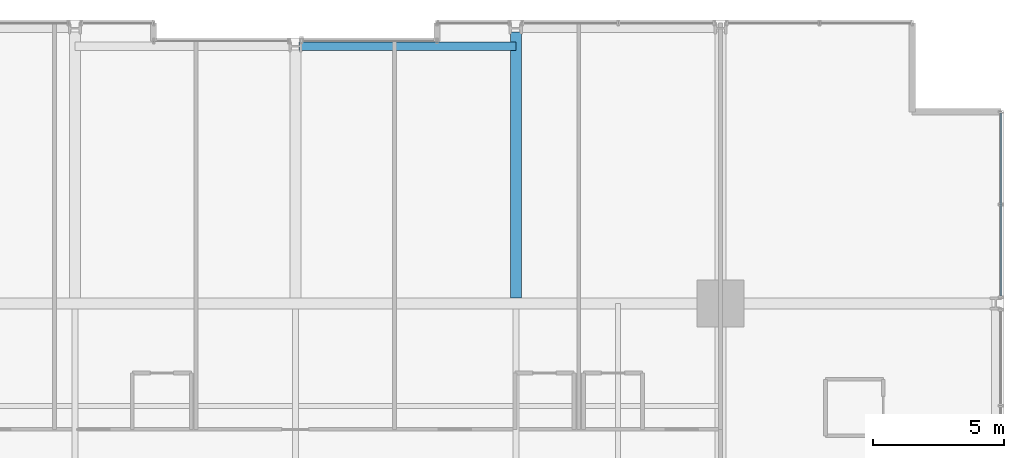
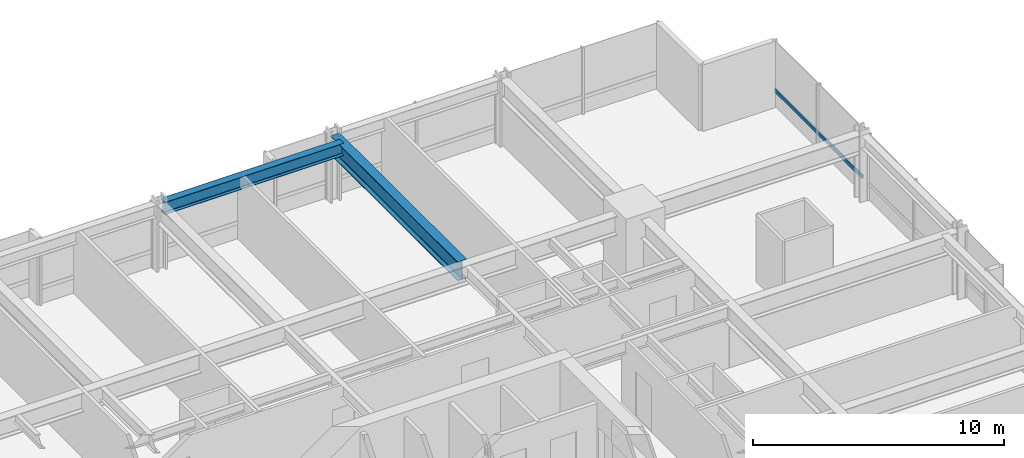
# One storey, part 26 of 38: 2 beams, 1 member, 1 element without a shape of its own.
"""IFC4 building model written with IfcOpenShell, lengths in metres."""

from ifc_helpers import new_model, si_unit, direction, frame, origin, origin_2d, place, context, subcontext, project, spatial, hollow_rectangle, i_section, extrude, material, layer, layer_set, material_profile, profile_set, type_object, element, aggregate, save


model = new_model("IFC4")

# Units and contexts
model_context = context("Model", 3, precision=1e-05, world=origin(), true_north=direction((0.0, 1.0)))
body_context = subcontext(model_context, "Body", "Model", "MODEL_VIEW")
ifc_project = project(units=[si_unit("LENGTHUNIT", "METRE"), si_unit("AREAUNIT", "SQUARE_METRE"), si_unit("VOLUMEUNIT", "CUBIC_METRE"), si_unit("PLANEANGLEUNIT", "RADIAN"), si_unit("MASSUNIT", "GRAM", prefix="KILO")], contexts=[model_context])

# Site, building, storey
site_placement = place(None, origin())
site = spatial("IfcSite", under=ifc_project, at=site_placement, CompositionType="ELEMENT")
building_placement = place(site_placement, origin())
building = spatial("IfcBuilding", under=site, at=building_placement, Name="Drelvath Grand Hotel", CompositionType="ELEMENT")
storey_placement = place(building_placement, frame((0.0, 0.0, 57.699951171875)))
storey = spatial("IfcBuildingStorey", under=building, at=storey_placement, Name="L13", CompositionType="ELEMENT", Elevation=57.699951171875)

# Curtain wall, member
ifc_material_1 = material(Name="Warm Bronze Anodised Aluminium Frame", Category="aluminium")
ifc_layer = layer(ifc_material_1, 0.199951171875)
ifc_layer_set = layer_set([ifc_layer], Name="Warm Bronze Anodised Aluminium Frame")
curtain_wall_type = type_object("IfcCurtainWallType", Name="Stick Curtain Wall CW-02 Warm Bronze Low-Rise", PredefinedType="NOTDEFINED", material=ifc_layer_set)
curtain_wall_placement = place(storey_placement, origin())
curtain_wall = element("IfcCurtainWall", 1, at=curtain_wall_placement, inside=storey, type_object=curtain_wall_type, Name="L13 CW-02 Curtain Wall CW02-L13-EN3", PredefinedType="NOTDEFINED")
ifc_material_profile_1 = material_profile(ifc_material_1, hollow_rectangle(XDim=0.074951171875, YDim=0.179931640625, WallThickness=0.0048828125, at=origin_2d()), Name="HSS180X75X5")
ifc_profile_set_1 = profile_set([ifc_material_profile_1], Name="Warm Bronze Anodised Aluminium Frame")
member_type = type_object("IfcMemberType", Name="Curtain Wall Horizontal Transom CW-02 HSS180X75X5", PredefinedType="USERDEFINED", material=ifc_profile_set_1)
member_placement = place(storey_placement, frame((26.8798828125, 50.4599609375, 0.81005859375), z_axis=(0.0, -1.0, 0.0), x_axis=(1.0, 0.0, 0.0)))
member = element("IfcMember", 2, at=member_placement, type_object=member_type, Name="CW02-L13-EN3 Sill Transom", ObjectType="TRANSOM", PredefinedType="USERDEFINED", context=body_context, shape_type="SweptSolid", body=[
    extrude(hollow_rectangle(XDim=0.074951171875, YDim=0.179931640625, WallThickness=0.0048828125, at=origin_2d()), origin(), (0.0, 0.0, 1.0), 6.97900390625),
])
aggregate(curtain_wall, [member])

# Beams
ifc_material_2 = material(Name="Steel ASTM A992 Gr 50", Category="steel")
ifc_material_profile_2 = material_profile(ifc_material_2, i_section(OverallWidth=0.323974609375, OverallDepth=0.611083984375, WebThickness=0.0126953125, FlangeThickness=0.01904296875, FilletRadius=0.02197265625, at=origin_2d()), Name="W24X104")
ifc_profile_set_2 = profile_set([ifc_material_profile_2], Name="Steel ASTM A992 Gr 50")
beam_type_1 = type_object("IfcBeamType", Name="Perimeter Spandrel Beam W24X104", PredefinedType="SPANDREL", material=ifc_profile_set_2)
beam_1_placement = place(storey_placement, frame((0.139892578125, 53.0, 2.9345703125), z_axis=(1.0, 0.0, 0.0), x_axis=(0.0, 1.0, 0.0)))
element("IfcBeam", 3, at=beam_1_placement, inside=storey, type_object=beam_type_1, Name="L13 Spandrel North Mid E", PredefinedType="SPANDREL", context=body_context, shape_type="SweptSolid", body=[
    extrude(i_section(OverallWidth=0.323974609375, OverallDepth=0.611083984375, WebThickness=0.0126953125, FlangeThickness=0.01904296875, FilletRadius=0.02197265625, at=origin_2d()), origin(), (0.0, 0.0, 1.0), 8.260009765625),
])
ifc_material_profile_3 = material_profile(ifc_material_2, i_section(OverallWidth=0.418212890625, OverallDepth=0.926513671875, WebThickness=0.019287109375, FlangeThickness=0.031982421875, FilletRadius=0.028076171875, at=origin_2d()), Name="W36X231")
ifc_profile_set_3 = profile_set([ifc_material_profile_3], Name="Steel ASTM A992 Gr 50")
beam_type_2 = type_object("IfcBeamType", Name="Primary Floor Girder W36X231", PredefinedType="BEAM", material=ifc_profile_set_3)
beam_2_placement = place(storey_placement, frame((8.39990234375, 43.4091796875, 2.77685546875), z_axis=(0.0, 1.0, 0.0), x_axis=(-1.0, 0.0, 0.0)))
element("IfcBeam", 4, at=beam_2_placement, inside=storey, type_object=beam_type_2, Name="L13 North Wing Girder 6", PredefinedType="BEAM", context=body_context, shape_type="SweptSolid", body=[
    extrude(i_section(OverallWidth=0.418212890625, OverallDepth=0.926513671875, WebThickness=0.019287109375, FlangeThickness=0.031982421875, FilletRadius=0.028076171875, at=origin_2d()), origin(), (0.0, 0.0, 1.0), 10.130859375),
])

save(model, "model.ifc")
